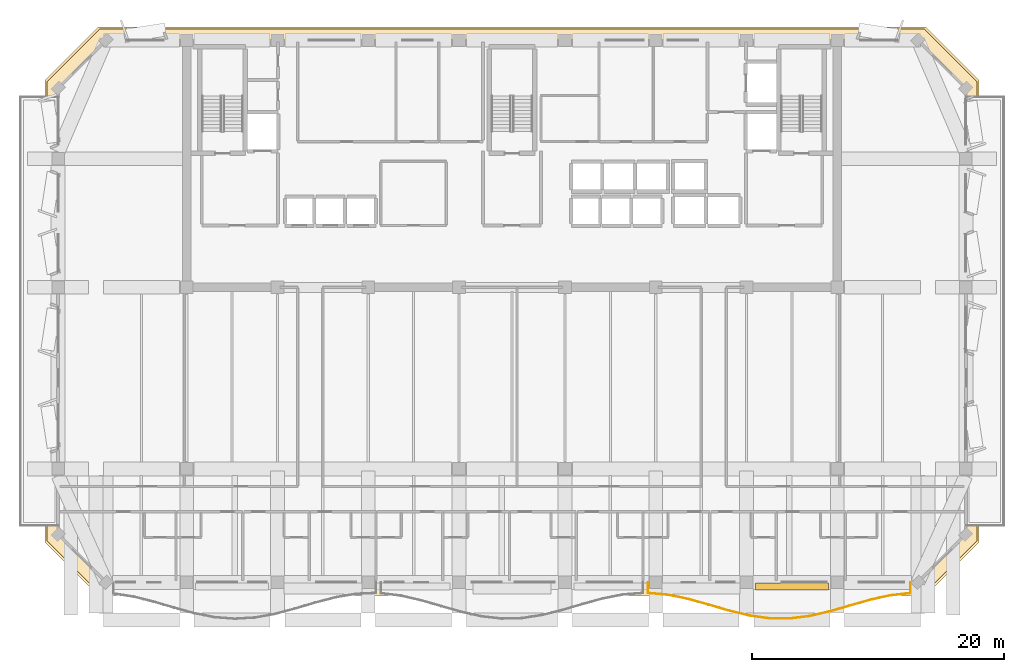
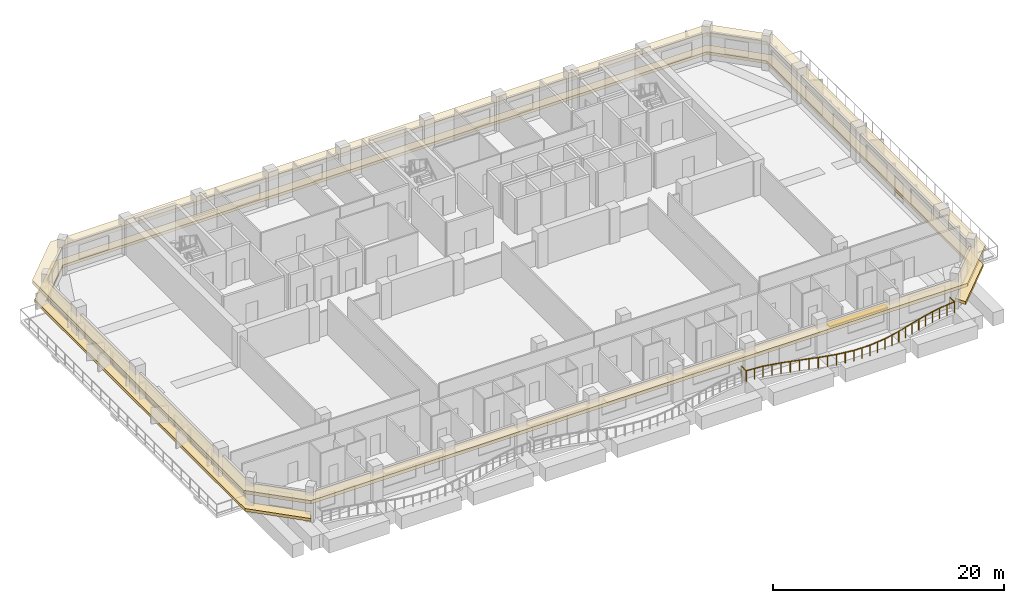
# One storey, part 11 of 13: 2 coverings, 1 railing, 1 shading device.
"""IFC4 building model written with IfcOpenShell, lengths in metres."""

from ifc_helpers import new_model, si_unit, direction, frame, origin, origin_2d, place, context, subcontext, project, spatial, polyline, rectangle, outline, extrude, material, layer, layer_set, type_object, element, save


model = new_model("IFC4")

# Units and contexts
model_context = context("Model", 3, precision=1e-05, world=origin(), true_north=direction((0.0, 1.0)))
body_context = subcontext(model_context, "Body", "Model", "MODEL_VIEW")
ifc_project = project(units=[si_unit("LENGTHUNIT", "METRE"), si_unit("AREAUNIT", "SQUARE_METRE"), si_unit("VOLUMEUNIT", "CUBIC_METRE"), si_unit("PLANEANGLEUNIT", "RADIAN"), si_unit("MASSUNIT", "GRAM", prefix="KILO")], contexts=[model_context])

# Site, building, storey
site_placement = place(None, origin())
site = spatial("IfcSite", under=ifc_project, at=site_placement, CompositionType="ELEMENT")
building_placement = place(site_placement, origin())
building = spatial("IfcBuilding", under=site, at=building_placement, Name="Kaelvorn Grand Hotel", CompositionType="ELEMENT")
storey_placement = place(building_placement, frame((0.0, 0.0, 229.14990234375)))
storey = spatial("IfcBuildingStorey", under=building, at=storey_placement, Name="L56", CompositionType="ELEMENT", Elevation=229.14990234375)

# Coverings
ifc_material_1 = material(Name="Precast concrete C45/55", Category="concrete")
ifc_layer_1 = layer(ifc_material_1, 0.260009765625)
ifc_layer_set_1 = layer_set([ifc_layer_1], Name="Precast concrete C45/55")
covering_type_1 = type_object("IfcCoveringType", Name="COV-BAND-STREAMLINE-HEAD", PredefinedType="CLADDING", material=ifc_layer_set_1)
covering_1_placement = place(storey_placement, frame((0.0, 0.0, 2.420166015625)))
element("IfcCovering", 1, at=covering_1_placement, inside=storey, type_object=covering_type_1, Name="L56 Streamline Moderne Wraparound Horizontal Eyebrow Band", PredefinedType="CLADDING", context=body_context, shape_type="SweptSolid", body=[
    extrude(outline(polyline([(9.18994140625, 4.949951171875), (74.81005859375, 4.949951171875), (79.050048828125, 9.18994140625), (79.050048828125, 45.81005859375), (74.81005859375, 50.050048828125), (9.18994140625, 50.050048828125), (4.949951171875, 45.81005859375), (4.949951171875, 9.18994140625), (9.18994140625, 4.949951171875)]), holes=[polyline([(9.820068359375, 6.030029296875), (74.179931640625, 6.030029296875), (77.969970703125, 9.820068359375), (77.969970703125, 45.179931640625), (74.179931640625, 48.969970703125), (9.820068359375, 48.969970703125), (6.030029296875, 45.179931640625), (6.030029296875, 9.820068359375), (9.820068359375, 6.030029296875)])]), origin(), (0.0, 0.0, 1.0), 0.35986328125),
])
ifc_layer_2 = layer(ifc_material_1, 0.219970703125)
ifc_layer_set_2 = layer_set([ifc_layer_2], Name="Precast concrete C45/55")
covering_type_2 = type_object("IfcCoveringType", Name="COV-BAND-STREAMLINE-SILL", PredefinedType="CLADDING", material=ifc_layer_set_2)
covering_2_placement = place(storey_placement, frame((0.0, 0.0, 0.4501953125)))
element("IfcCovering", 2, at=covering_2_placement, inside=storey, type_object=covering_type_2, Name="L56 Streamline Moderne Wraparound Horizontal Sill Spandrel Band", PredefinedType="CLADDING", context=body_context, shape_type="SweptSolid", body=[
    extrude(outline(polyline([(74.715576171875, 5.1201171875), (78.8798828125, 9.284423828125), (78.8798828125, 45.715576171875), (74.715576171875, 49.8798828125), (9.284423828125, 49.8798828125), (5.1201171875, 45.715576171875), (5.1201171875, 9.284423828125), (9.284423828125, 5.1201171875), (9.817626953125, 6.030029296875), (6.030029296875, 9.817626953125), (6.030029296875, 45.182373046875), (9.817626953125, 48.969970703125), (74.182373046875, 48.969970703125), (77.969970703125, 45.182373046875), (77.969970703125, 9.817626953125), (74.182373046875, 6.030029296875), (74.715576171875, 5.1201171875)])), origin(), (0.0, 0.0, 1.0), 0.2998046875),
])

# Railing
ifc_material_2 = material(Name="Stainless Steel", Category="steel")
railing_type = type_object("IfcRailingType", Name="RL-BALC-1150", PredefinedType="BALUSTRADE", material=ifc_material_2)
railing_placement = place(storey_placement, frame((52.800048828125, 6.0, 0.0)))
element("IfcRailing", 3, at=railing_placement, inside=storey, type_object=railing_type, Name="L56 Scalloped Wave Balcony Balustrade GR1-3", PredefinedType="BALUSTRADE", context=body_context, shape_type="SweptSolid", body=[
    extrude(rectangle(XDim=0.048095703125, YDim=0.048095703125, at=origin_2d()), frame((0.0, 0.0, 1.1259765625), z_axis=(0.0, -1.0, 0.0), x_axis=(1.0, 0.0, 0.0)), (0.0, 0.0, 1.0), 0.853515625),
    extrude(rectangle(XDim=0.048095703125, YDim=0.048095703125, at=origin_2d()), frame((0.0, -0.853515625, 1.1259765625), z_axis=(0.995862006079, -0.090878296908, 0.0), x_axis=(0.090878296908, 0.995862006079, 0.0)), (0.0, 0.0, 1.0), 1.6064453125),
    extrude(rectangle(XDim=0.048095703125, YDim=0.048095703125, at=origin_2d()), frame((1.599853515625, -0.99951171875, 1.1259765625), z_axis=(0.97911195843, -0.203321845503, 0.0), x_axis=(0.203321845503, 0.97911195843, 0.0)), (0.0, 0.0, 1.0), 1.63427734375),
    extrude(rectangle(XDim=0.048095703125, YDim=0.048095703125, at=origin_2d()), frame((3.199951171875, -1.331787109375, 1.1259765625), z_axis=(0.962968597463, -0.269613575884, 0.0), x_axis=(0.269613575884, 0.962968597463, 0.0)), (0.0, 0.0, 1.0), 1.66162109375),
    extrude(rectangle(XDim=0.048095703125, YDim=0.048095703125, at=origin_2d()), frame((4.800048828125, -1.77978515625, 1.1259765625), z_axis=(0.959774957274, -0.280770424705, 0.0), x_axis=(0.280770424705, 0.959774957274, 0.0)), (0.0, 0.0, 1.0), 1.6669921875),
    extrude(rectangle(XDim=0.048095703125, YDim=0.048095703125, at=origin_2d()), frame((6.39990234375, -2.247802734375, 1.1259765625), z_axis=(0.971708999352, -0.23618132987, 0.0), x_axis=(0.23618132987, 0.971708999352, 0.0)), (0.0, 0.0, 1.0), 1.646728515625),
    extrude(rectangle(XDim=0.048095703125, YDim=0.048095703125, at=origin_2d()), frame((8.0, -2.63671875, 1.1259765625), z_axis=(0.99010001979, -0.140363637782, 0.0), x_axis=(0.140363637782, 0.99010001979, 0.0)), (0.0, 0.0, 1.0), 1.615966796875),
    extrude(rectangle(XDim=0.048095703125, YDim=0.048095703125, at=origin_2d()), frame((9.599853515625, -2.863525390625, 1.1259765625), z_axis=(0.999946180471, -0.010374784906, 0.0), x_axis=(0.010374784906, 0.999946180471, 0.0)), (0.0, 0.0, 1.0), 1.60009765625),
    extrude(rectangle(XDim=0.048095703125, YDim=0.048095703125, at=origin_2d()), frame((11.199951171875, -2.880126953125, 1.1259765625), z_axis=(0.992467733724, 0.122506316232, 0.0), x_axis=(-0.122506316232, 0.992467733724, 0.0)), (0.0, 0.0, 1.0), 1.6123046875),
    extrude(rectangle(XDim=0.048095703125, YDim=0.048095703125, at=origin_2d()), frame((12.800048828125, -2.6826171875, 1.1259765625), z_axis=(0.974398713439, 0.224826927319, 0.0), x_axis=(-0.224826927319, 0.974398713439, 0.0)), (0.0, 0.0, 1.0), 1.641845703125),
    extrude(rectangle(XDim=0.048095703125, YDim=0.048095703125, at=origin_2d()), frame((14.39990234375, -2.3134765625, 1.1259765625), z_axis=(0.960689860387, 0.277623832098, 0.0), x_axis=(-0.277623832098, 0.960689860387, 0.0)), (0.0, 0.0, 1.0), 1.66552734375),
    extrude(rectangle(XDim=0.048095703125, YDim=0.048095703125, at=origin_2d()), frame((16.0, -1.85107421875, 1.1259765625), z_axis=(0.961496258585, 0.274818021109, 0.0), x_axis=(-0.274818021109, 0.961496258585, 0.0)), (0.0, 0.0, 1.0), 1.663818359375),
    extrude(rectangle(XDim=0.048095703125, YDim=0.048095703125, at=origin_2d()), frame((17.599853515625, -1.393798828125, 1.1259765625), z_axis=(0.976264105664, 0.216583461952, 0.0), x_axis=(-0.216583461952, 0.976264105664, 0.0)), (0.0, 0.0, 1.0), 1.638916015625),
    extrude(rectangle(XDim=0.048095703125, YDim=0.048095703125, at=origin_2d()), frame((19.199951171875, -1.038818359375, 1.1259765625), z_axis=(0.993937251022, 0.109948810954, 0.0), x_axis=(-0.109948810954, 0.993937251022, 0.0)), (0.0, 0.0, 1.0), 1.60986328125),
    extrude(rectangle(XDim=0.048095703125, YDim=0.048095703125, at=origin_2d()), frame((20.800048828125, -0.86181640625, 1.1259765625), z_axis=(0.0, 1.0, 0.0), x_axis=(-1.0, 0.0, 0.0)), (0.0, 0.0, 1.0), 0.86181640625),
    extrude(rectangle(XDim=0.0419921875, YDim=0.0419921875, at=origin_2d()), origin(), (0.0, 0.0, 1.0), 1.101806640625),
    extrude(rectangle(XDim=0.0419921875, YDim=0.0419921875, at=origin_2d()), frame((0.0, -0.853515625, 0.0)), (0.0, 0.0, 1.0), 1.101806640625),
    extrude(rectangle(XDim=0.0419921875, YDim=0.0419921875, at=origin_2d()), frame((0.7998046875, -0.926513671875, 0.0)), (0.0, 0.0, 1.0), 1.101806640625),
    extrude(rectangle(XDim=0.0419921875, YDim=0.0419921875, at=origin_2d()), frame((1.599853515625, -0.99951171875, 0.0)), (0.0, 0.0, 1.0), 1.101806640625),
    extrude(rectangle(XDim=0.0419921875, YDim=0.0419921875, at=origin_2d()), frame((2.39990234375, -1.16552734375, 0.0)), (0.0, 0.0, 1.0), 1.101806640625),
    extrude(rectangle(XDim=0.0419921875, YDim=0.0419921875, at=origin_2d()), frame((3.199951171875, -1.331787109375, 0.0)), (0.0, 0.0, 1.0), 1.101806640625),
    extrude(rectangle(XDim=0.0419921875, YDim=0.0419921875, at=origin_2d()), frame((4.0, -1.5556640625, 0.0)), (0.0, 0.0, 1.0), 1.101806640625),
    extrude(rectangle(XDim=0.0419921875, YDim=0.0419921875, at=origin_2d()), frame((4.800048828125, -1.77978515625, 0.0)), (0.0, 0.0, 1.0), 1.101806640625),
    extrude(rectangle(XDim=0.0419921875, YDim=0.0419921875, at=origin_2d()), frame((5.60009765625, -2.013671875, 0.0)), (0.0, 0.0, 1.0), 1.101806640625),
    extrude(rectangle(XDim=0.0419921875, YDim=0.0419921875, at=origin_2d()), frame((6.39990234375, -2.247802734375, 0.0)), (0.0, 0.0, 1.0), 1.101806640625),
    extrude(rectangle(XDim=0.0419921875, YDim=0.0419921875, at=origin_2d()), frame((7.199951171875, -2.4423828125, 0.0)), (0.0, 0.0, 1.0), 1.101806640625),
    extrude(rectangle(XDim=0.0419921875, YDim=0.0419921875, at=origin_2d()), frame((8.0, -2.63671875, 0.0)), (0.0, 0.0, 1.0), 1.101806640625),
    extrude(rectangle(XDim=0.0419921875, YDim=0.0419921875, at=origin_2d()), frame((8.7998046875, -2.75, 0.0)), (0.0, 0.0, 1.0), 1.101806640625),
    extrude(rectangle(XDim=0.0419921875, YDim=0.0419921875, at=origin_2d()), frame((9.599853515625, -2.863525390625, 0.0)), (0.0, 0.0, 1.0), 1.101806640625),
    extrude(rectangle(XDim=0.0419921875, YDim=0.0419921875, at=origin_2d()), frame((10.39990234375, -2.871826171875, 0.0)), (0.0, 0.0, 1.0), 1.101806640625),
    extrude(rectangle(XDim=0.0419921875, YDim=0.0419921875, at=origin_2d()), frame((11.199951171875, -2.880126953125, 0.0)), (0.0, 0.0, 1.0), 1.101806640625),
    extrude(rectangle(XDim=0.0419921875, YDim=0.0419921875, at=origin_2d()), frame((12.0, -2.78125, 0.0)), (0.0, 0.0, 1.0), 1.101806640625),
    extrude(rectangle(XDim=0.0419921875, YDim=0.0419921875, at=origin_2d()), frame((12.800048828125, -2.6826171875, 0.0)), (0.0, 0.0, 1.0), 1.101806640625),
    extrude(rectangle(XDim=0.0419921875, YDim=0.0419921875, at=origin_2d()), frame((13.60009765625, -2.498046875, 0.0)), (0.0, 0.0, 1.0), 1.101806640625),
    extrude(rectangle(XDim=0.0419921875, YDim=0.0419921875, at=origin_2d()), frame((14.39990234375, -2.3134765625, 0.0)), (0.0, 0.0, 1.0), 1.101806640625),
    extrude(rectangle(XDim=0.0419921875, YDim=0.0419921875, at=origin_2d()), frame((15.199951171875, -2.082275390625, 0.0)), (0.0, 0.0, 1.0), 1.101806640625),
    extrude(rectangle(XDim=0.0419921875, YDim=0.0419921875, at=origin_2d()), frame((16.0, -1.85107421875, 0.0)), (0.0, 0.0, 1.0), 1.101806640625),
    extrude(rectangle(XDim=0.0419921875, YDim=0.0419921875, at=origin_2d()), frame((16.7998046875, -1.62255859375, 0.0)), (0.0, 0.0, 1.0), 1.101806640625),
    extrude(rectangle(XDim=0.0419921875, YDim=0.0419921875, at=origin_2d()), frame((17.599853515625, -1.393798828125, 0.0)), (0.0, 0.0, 1.0), 1.101806640625),
    extrude(rectangle(XDim=0.0419921875, YDim=0.0419921875, at=origin_2d()), frame((18.39990234375, -1.21630859375, 0.0)), (0.0, 0.0, 1.0), 1.101806640625),
    extrude(rectangle(XDim=0.0419921875, YDim=0.0419921875, at=origin_2d()), frame((19.199951171875, -1.038818359375, 0.0)), (0.0, 0.0, 1.0), 1.101806640625),
    extrude(rectangle(XDim=0.0419921875, YDim=0.0419921875, at=origin_2d()), frame((20.0, -0.9501953125, 0.0)), (0.0, 0.0, 1.0), 1.101806640625),
    extrude(rectangle(XDim=0.0419921875, YDim=0.0419921875, at=origin_2d()), frame((20.800048828125, -0.86181640625, 0.0)), (0.0, 0.0, 1.0), 1.101806640625),
    extrude(rectangle(XDim=0.0419921875, YDim=0.0419921875, at=origin_2d()), frame((20.800048828125, 0.0, 0.0)), (0.0, 0.0, 1.0), 1.101806640625),
])

# Shading device
ifc_layer_3 = layer(ifc_material_1, 0.1201171875)
ifc_layer_set_3 = layer_set([ifc_layer_3], Name="Precast concrete C45/55")
shading_device_type = type_object("IfcShadingDeviceType", Name="SHD-SUNSHADE-550", PredefinedType="USERDEFINED", material=ifc_layer_set_3)
shading_device_placement = place(storey_placement, frame((64.199951171875, 5.655029296875, 2.56005859375), z_axis=(0.0, 0.0, 1.0), x_axis=(1.0, 0.0, 0.0)))
element("IfcShadingDevice", 4, at=shading_device_placement, inside=storey, type_object=shading_device_type, Name="L56 Horizontal Concrete Sunshade Band SS-09", ObjectType="SUNSHADE", PredefinedType="USERDEFINED", context=body_context, shape_type="SweptSolid", body=[
    extrude(rectangle(XDim=5.800048828125, YDim=0.550048828125, at=origin_2d()), origin(), (0.0, 0.0, 1.0), 0.1201171875),
])

save(model, "model.ifc")
